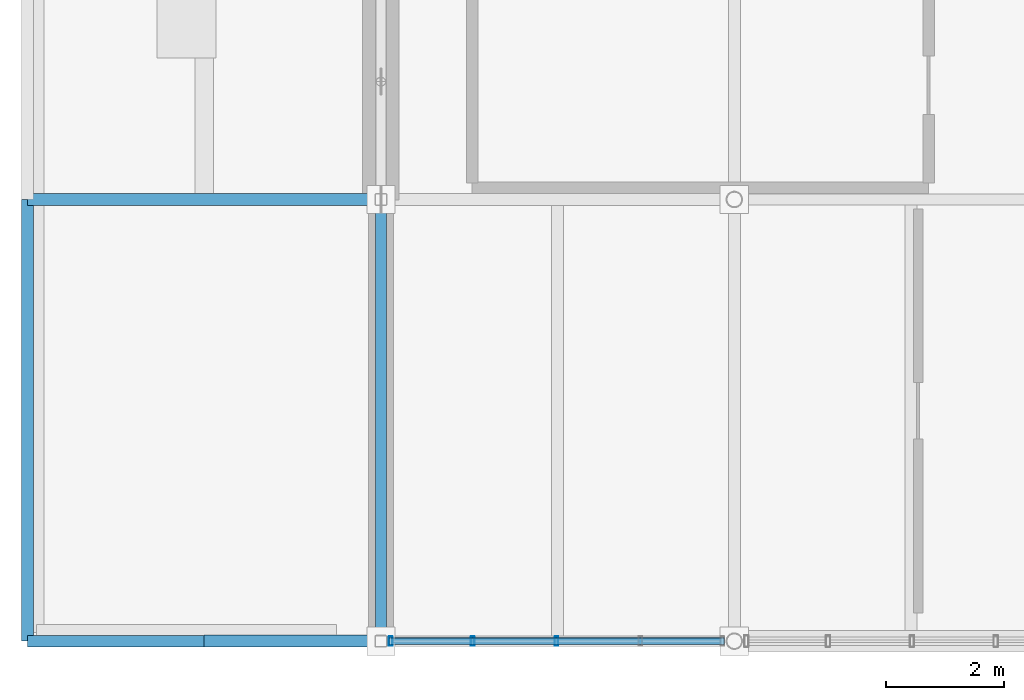
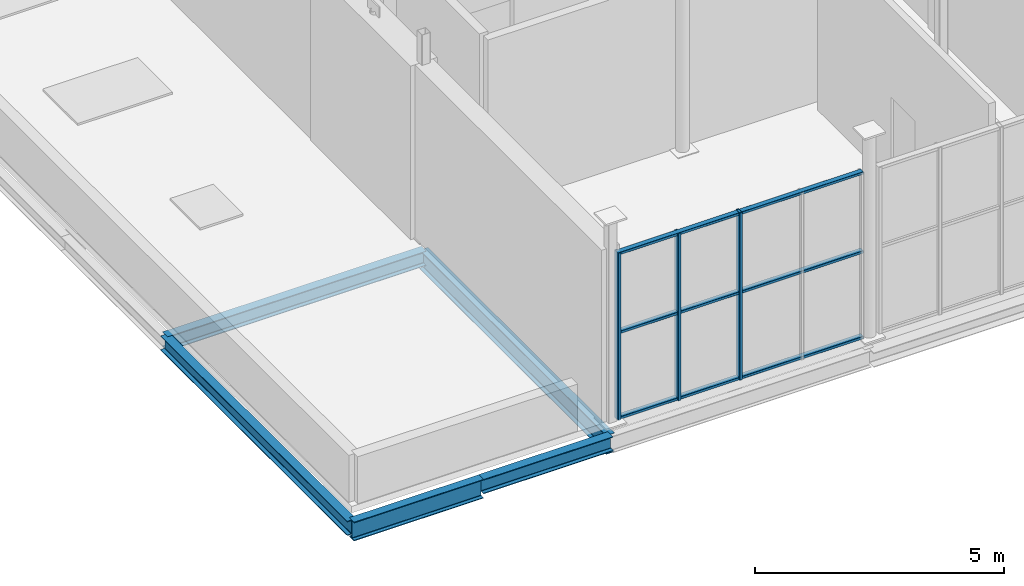
# One storey, part 6 of 27: 6 members, 5 beams, 1 element without a shape of its own.
"""IFC4 building model written with IfcOpenShell, lengths in metres."""

from ifc_helpers import new_model, si_unit, direction, frame, origin, origin_2d, place, context, subcontext, project, spatial, hollow_rectangle, i_section, extrude, material, material_profile, profile_set, type_object, element, aggregate, save


model = new_model("IFC4")

# Units and contexts
model_context = context("Model", 3, precision=1e-05, world=origin(), true_north=direction((0.0, 1.0)))
body_context = subcontext(model_context, "Body", "Model", "MODEL_VIEW")
ifc_project = project(units=[si_unit("LENGTHUNIT", "METRE"), si_unit("AREAUNIT", "SQUARE_METRE"), si_unit("VOLUMEUNIT", "CUBIC_METRE"), si_unit("PLANEANGLEUNIT", "RADIAN"), si_unit("MASSUNIT", "GRAM", prefix="KILO")], contexts=[model_context])

# Site, building, storey
site_placement = place(None, origin())
site = spatial("IfcSite", under=ifc_project, at=site_placement, CompositionType="ELEMENT")
building_placement = place(site_placement, origin())
building = spatial("IfcBuilding", under=site, at=building_placement, Name="Verrall Gate Interchange", CompositionType="ELEMENT")
storey_placement = place(building_placement, frame((0.0, 0.0, 23.60009765625)))
storey = spatial("IfcBuildingStorey", under=building, at=storey_placement, Name="L06", CompositionType="ELEMENT", Elevation=23.60009765625)

# Beams
ifc_material_1 = material(Name="Structural Steel CSA G40.21 350W", Category="steel")
ifc_material_profile_1 = material_profile(ifc_material_1, i_section(OverallWidth=0.19189453125, OverallDepth=0.462890625, WebThickness=0.010498046875, FlangeThickness=0.017578125, FilletRadius=0.012939453125, at=origin_2d()), Name="W460x89")
ifc_profile_set_1 = profile_set([ifc_material_profile_1], Name="Structural Steel CSA G40.21 350W")
beam_type_1 = type_object("IfcBeamType", Name="B-11 Structural Beam W460x89", PredefinedType="BEAM", material=ifc_profile_set_1)
beam_1_placement = place(storey_placement, frame((0.0, 4.5, -0.5615234375), z_axis=(1.0, 0.0, 0.0), x_axis=(0.0, 1.0, 0.0)))
element("IfcBeam", 1, at=beam_1_placement, inside=storey, type_object=beam_type_1, Name="L06 Girder BM-L06-3052 (B-11)", PredefinedType="BEAM", context=body_context, shape_type="SweptSolid", body=[
    extrude(i_section(OverallWidth=0.19189453125, OverallDepth=0.462890625, WebThickness=0.010498046875, FlangeThickness=0.017578125, FilletRadius=0.012939453125, at=origin_2d()), origin(), (0.0, 0.0, 1.0), 3.0),
])
beam_2_placement = place(storey_placement, frame((6.0, 4.5, -0.5615234375), z_axis=(0.0, 1.0, 0.0), x_axis=(-1.0, 0.0, 0.0)))
element("IfcBeam", 2, at=beam_2_placement, inside=storey, type_object=beam_type_1, Name="L06 Girder BM-L06-3124 (B-11)", PredefinedType="BEAM", context=body_context, shape_type="SweptSolid", body=[
    extrude(i_section(OverallWidth=0.19189453125, OverallDepth=0.462890625, WebThickness=0.010498046875, FlangeThickness=0.017578125, FilletRadius=0.012939453125, at=origin_2d()), origin(), (0.0, 0.0, 1.0), 7.5),
])
ifc_material_2 = material(Name="Structural Steel CSA G40.21 350W", Category="steel")
ifc_material_profile_2 = material_profile(ifc_material_2, i_section(OverallWidth=0.205078125, OverallDepth=0.35400390625, WebThickness=0.009521484375, FlangeThickness=0.016845703125, FilletRadius=0.012939453125, at=origin_2d()), Name="W360x79")
ifc_profile_set_2 = profile_set([ifc_material_profile_2], Name="Structural Steel CSA G40.21 350W")
beam_type_2 = type_object("IfcBeamType", Name="B-14 Structural Beam W360x79", PredefinedType="BEAM", material=ifc_profile_set_2)
beam_3_placement = place(storey_placement, frame((3.0, 4.5, -0.507080078125), z_axis=(1.0, 0.0, 0.0), x_axis=(0.0, 1.0, 0.0)))
element("IfcBeam", 3, at=beam_3_placement, inside=storey, type_object=beam_type_2, Name="L06 Girder BM-L06-3053 (B-14)", PredefinedType="BEAM", context=body_context, shape_type="SweptSolid", body=[
    extrude(i_section(OverallWidth=0.205078125, OverallDepth=0.35400390625, WebThickness=0.009521484375, FlangeThickness=0.016845703125, FilletRadius=0.012939453125, at=origin_2d()), origin(), (0.0, 0.0, 1.0), 3.0),
])
beam_4_placement = place(storey_placement, frame((0.0, 12.0, -0.507080078125), z_axis=(1.0, 0.0, 0.0), x_axis=(0.0, 1.0, 0.0)))
element("IfcBeam", 4, at=beam_4_placement, inside=storey, type_object=beam_type_2, Name="L06 Girder BM-L06-3059 (B-14)", PredefinedType="BEAM", context=body_context, shape_type="SweptSolid", body=[
    extrude(i_section(OverallWidth=0.205078125, OverallDepth=0.35400390625, WebThickness=0.009521484375, FlangeThickness=0.016845703125, FilletRadius=0.012939453125, at=origin_2d()), origin(), (0.0, 0.0, 1.0), 6.0),
])
beam_5_placement = place(storey_placement, frame((0.0, 4.5, -0.507080078125), z_axis=(0.0, 1.0, 0.0), x_axis=(-1.0, 0.0, 0.0)))
element("IfcBeam", 5, at=beam_5_placement, inside=storey, type_object=beam_type_2, Name="L06 Girder BM-L06-3113 (B-14)", PredefinedType="BEAM", context=body_context, shape_type="SweptSolid", body=[
    extrude(i_section(OverallWidth=0.205078125, OverallDepth=0.35400390625, WebThickness=0.009521484375, FlangeThickness=0.016845703125, FilletRadius=0.012939453125, at=origin_2d()), origin(), (0.0, 0.0, 1.0), 7.5),
])

# Curtain wall, members
ifc_material_3 = material(Name="Thermally Broken Anodized Aluminium Curtain Wall Framing", Category="aluminium")
curtain_wall_type = type_object("IfcCurtainWallType", Name="CW-45 Unitized Curtain Wall 5698x4100", PredefinedType="NOTDEFINED", material=ifc_material_3)
curtain_wall_placement = place(storey_placement, origin())
curtain_wall = element("IfcCurtainWall", 6, at=curtain_wall_placement, inside=storey, type_object=curtain_wall_type, Name="L06 Unitized Curtain Wall CW-L06-138", PredefinedType="NOTDEFINED")
ifc_material_4 = material(Name="Thermally Broken Anodized Aluminium Curtain Wall Framing", Category="aluminium")
ifc_material_profile_3 = material_profile(ifc_material_4, hollow_rectangle(XDim=0.06494140625, YDim=0.159912109375, WallThickness=0.00390625, InnerFilletRadius=0.00390625, OuterFilletRadius=0.008056640625, at=origin_2d()), Name="CWM160x65x4")
ifc_profile_set_3 = profile_set([ifc_material_profile_3], Name="Thermally Broken Anodized Aluminium Curtain Wall Framing")
member_type_1 = type_object("IfcMemberType", Name="CM-01 Curtain Mullion CWM160x65x4", PredefinedType="MULLION", material=ifc_profile_set_3)
member_1_placement = place(storey_placement, frame((6.166015625, 4.5, 0.0), z_axis=(0.0, 0.0, 1.0), x_axis=(1.0, 0.0, 0.0)))
member_1 = element("IfcMember", 7, at=member_1_placement, type_object=member_type_1, Name="CW-L06-138 Mullion 1", PredefinedType="MULLION", context=body_context, shape_type="SweptSolid", body=[
    extrude(hollow_rectangle(XDim=0.06494140625, YDim=0.159912109375, WallThickness=0.00390625, InnerFilletRadius=0.00390625, OuterFilletRadius=0.008056640625, at=origin_2d()), origin(), (0.0, 0.0, 1.0), 4.099853515625),
])
member_2_placement = place(storey_placement, frame((7.55810546875, 4.5, 0.0), z_axis=(0.0, 0.0, 1.0), x_axis=(1.0, 0.0, 0.0)))
member_2 = element("IfcMember", 8, at=member_2_placement, type_object=member_type_1, Name="CW-L06-138 Mullion 2", PredefinedType="MULLION", context=body_context, shape_type="SweptSolid", body=[
    extrude(hollow_rectangle(XDim=0.06494140625, YDim=0.159912109375, WallThickness=0.00390625, InnerFilletRadius=0.00390625, OuterFilletRadius=0.008056640625, at=origin_2d()), origin(), (0.0, 0.0, 1.0), 4.099853515625),
])
member_3_placement = place(storey_placement, frame((8.982421875, 4.5, 0.0), z_axis=(0.0, 0.0, 1.0), x_axis=(1.0, 0.0, 0.0)))
member_3 = element("IfcMember", 9, at=member_3_placement, type_object=member_type_1, Name="CW-L06-138 Mullion 3", PredefinedType="MULLION", context=body_context, shape_type="SweptSolid", body=[
    extrude(hollow_rectangle(XDim=0.06494140625, YDim=0.159912109375, WallThickness=0.00390625, InnerFilletRadius=0.00390625, OuterFilletRadius=0.008056640625, at=origin_2d()), origin(), (0.0, 0.0, 1.0), 4.099853515625),
])
ifc_material_5 = material(Name="Thermally Broken Anodized Aluminium Curtain Wall Framing", Category="aluminium")
ifc_material_profile_4 = material_profile(ifc_material_5, hollow_rectangle(XDim=0.1201171875, YDim=0.06494140625, WallThickness=0.00390625, InnerFilletRadius=0.00390625, OuterFilletRadius=0.008056640625, at=origin_2d()), Name="CWT120x65x4")
ifc_profile_set_4 = profile_set([ifc_material_profile_4], Name="Thermally Broken Anodized Aluminium Curtain Wall Framing")
member_type_2 = type_object("IfcMemberType", Name="CT-01 Curtain Transom CWT120x65x4", PredefinedType="USERDEFINED", material=ifc_profile_set_4)
member_4_placement = place(storey_placement, frame((6.133544921875, 4.5, 0.032470703125), z_axis=(1.0, 0.0, 0.0), x_axis=(0.0, 1.0, 0.0)))
member_4 = element("IfcMember", 10, at=member_4_placement, type_object=member_type_2, Name="CW-L06-138 Transom 1", ObjectType="TRANSOM", PredefinedType="USERDEFINED", context=body_context, shape_type="SweptSolid", body=[
    extrude(hollow_rectangle(XDim=0.1201171875, YDim=0.06494140625, WallThickness=0.00390625, InnerFilletRadius=0.00390625, OuterFilletRadius=0.008056640625, at=origin_2d()), origin(), (0.0, 0.0, 1.0), 5.69775390625),
])
member_5_placement = place(storey_placement, frame((6.133544921875, 4.5, 2.1318359375), z_axis=(1.0, 0.0, 0.0), x_axis=(0.0, 1.0, 0.0)))
member_5 = element("IfcMember", 11, at=member_5_placement, type_object=member_type_2, Name="CW-L06-138 Transom 2", ObjectType="TRANSOM", PredefinedType="USERDEFINED", context=body_context, shape_type="SweptSolid", body=[
    extrude(hollow_rectangle(XDim=0.1201171875, YDim=0.06494140625, WallThickness=0.00390625, InnerFilletRadius=0.00390625, OuterFilletRadius=0.008056640625, at=origin_2d()), origin(), (0.0, 0.0, 1.0), 5.69775390625),
])
member_6_placement = place(storey_placement, frame((6.133544921875, 4.5, 4.0673828125), z_axis=(1.0, 0.0, 0.0), x_axis=(0.0, 1.0, 0.0)))
member_6 = element("IfcMember", 12, at=member_6_placement, type_object=member_type_2, Name="CW-L06-138 Transom 3", ObjectType="TRANSOM", PredefinedType="USERDEFINED", context=body_context, shape_type="SweptSolid", body=[
    extrude(hollow_rectangle(XDim=0.1201171875, YDim=0.06494140625, WallThickness=0.00390625, InnerFilletRadius=0.00390625, OuterFilletRadius=0.008056640625, at=origin_2d()), origin(), (0.0, 0.0, 1.0), 5.69775390625),
])
aggregate(curtain_wall, [member_1, member_2, member_3, member_4, member_5, member_6])

save(model, "model.ifc")
